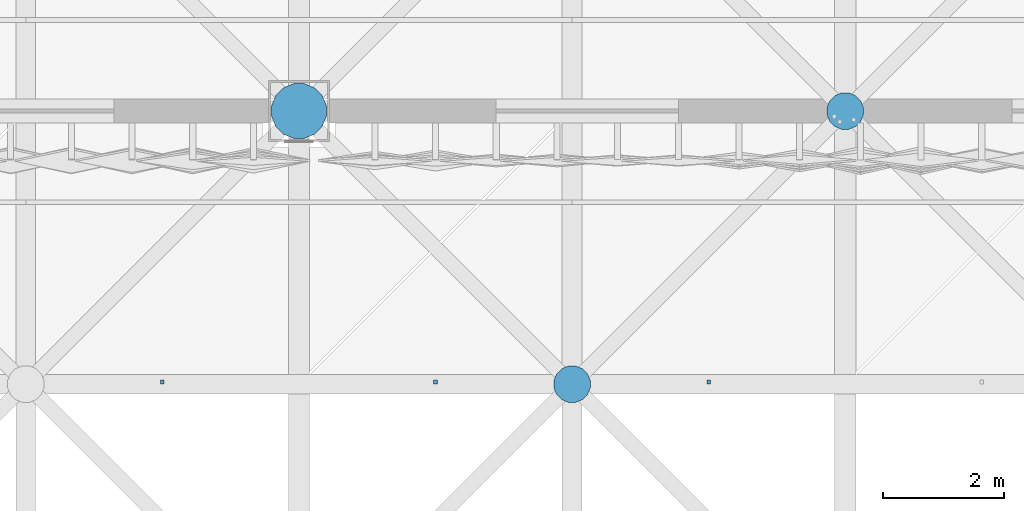
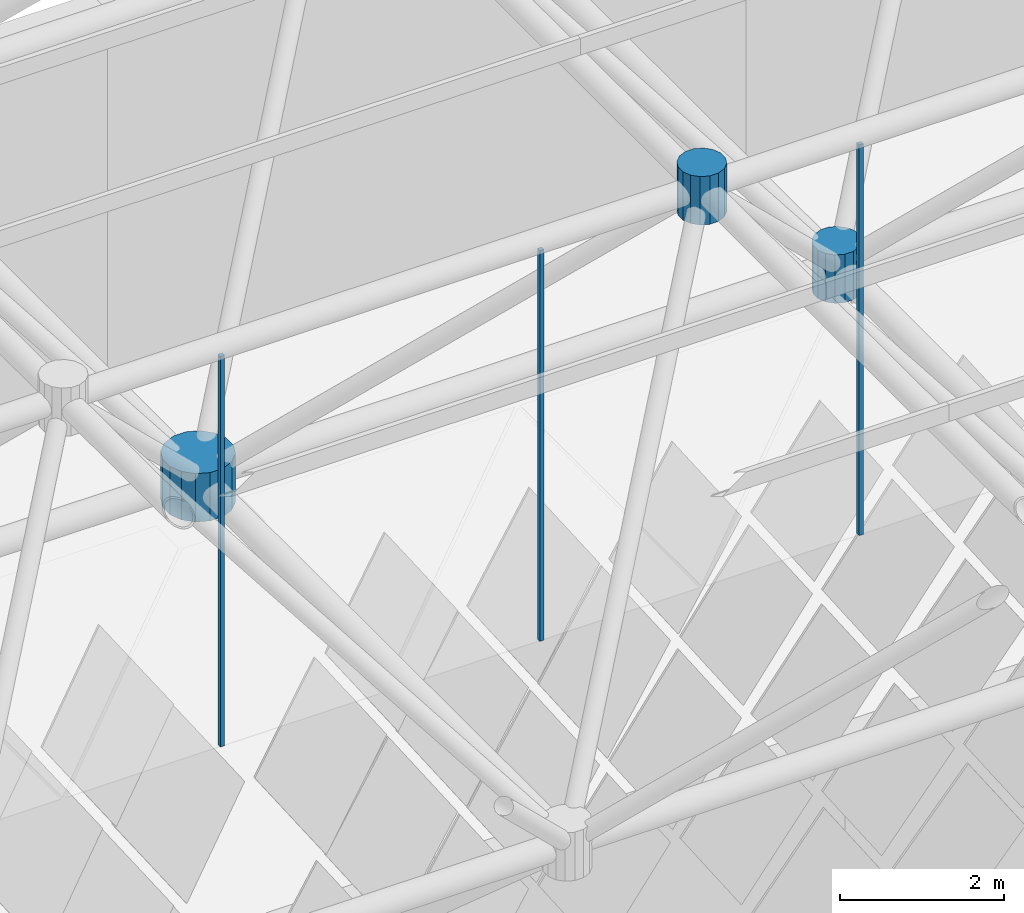
# One storey, part 300 of 437: 6 discrete accessories.
"""IFC4 building model written with IfcOpenShell, lengths in metres."""

from ifc_helpers import new_model, si_unit, direction, frame, origin, place, context, subcontext, project, spatial, polyline, outline, extrude, material, type_object, element, save


model = new_model("IFC4")

# Units and contexts
model_context = context("Model", 3, precision=1e-05, world=origin(), true_north=direction((0.0, 1.0)))
body_context = subcontext(model_context, "Body", "Model", "MODEL_VIEW")
ifc_project = project(units=[si_unit("LENGTHUNIT", "METRE"), si_unit("AREAUNIT", "SQUARE_METRE"), si_unit("VOLUMEUNIT", "CUBIC_METRE"), si_unit("PLANEANGLEUNIT", "RADIAN"), si_unit("MASSUNIT", "GRAM", prefix="KILO")], contexts=[model_context])

# Site, building, storey
site_placement = place(None, origin())
site = spatial("IfcSite", under=ifc_project, at=site_placement, CompositionType="ELEMENT")
building_placement = place(site_placement, origin())
building = spatial("IfcBuilding", under=site, at=building_placement, Name="Opaline Strait Convention Centre", CompositionType="ELEMENT")
storey_placement = place(building_placement, frame((0.0, 0.0, 11.5)))
storey = spatial("IfcBuildingStorey", under=building, at=storey_placement, Name="L02", CompositionType="ELEMENT", Elevation=11.5)

# Discrete accessories
ifc_material_1 = material(Name="Steel Q355B", Category="steel")
discrete_accessory_type_1 = type_object("IfcDiscreteAccessoryType", Name="Soffit hanger 60x60 steel", PredefinedType="BRACKET", material=ifc_material_1)
discrete_accessory_1_placement = place(storey_placement, frame((0.0, 0.0, 11.989990234375)))
element("IfcDiscreteAccessory", 1, at=discrete_accessory_1_placement, inside=storey, type_object=discrete_accessory_type_1, Name="Soffit hanger", PredefinedType="BRACKET", context=body_context, shape_type="SweptSolid", body=[
    extrude(outline(polyline([(168.719970703125, 49.5048828125), (168.780029296875, 49.5048828125), (168.780029296875, 49.56494140625), (168.719970703125, 49.56494140625), (168.719970703125, 49.5048828125)])), origin(), (0.0, 0.0, 1.0), 5.819091796875),
])
discrete_accessory_2_placement = place(storey_placement, frame((0.0, 0.0, 11.989990234375)))
element("IfcDiscreteAccessory", 2, at=discrete_accessory_2_placement, inside=storey, type_object=discrete_accessory_type_1, Name="Soffit hanger", PredefinedType="BRACKET", context=body_context, shape_type="SweptSolid", body=[
    extrude(outline(polyline([(173.219970703125, 49.5048828125), (173.280029296875, 49.5048828125), (173.280029296875, 49.56494140625), (173.219970703125, 49.56494140625), (173.219970703125, 49.5048828125)])), origin(), (0.0, 0.0, 1.0), 5.819091796875),
])
discrete_accessory_3_placement = place(storey_placement, frame((0.0, 0.0, 11.989990234375)))
element("IfcDiscreteAccessory", 3, at=discrete_accessory_3_placement, inside=storey, type_object=discrete_accessory_type_1, Name="Soffit hanger", PredefinedType="BRACKET", context=body_context, shape_type="SweptSolid", body=[
    extrude(outline(polyline([(177.719970703125, 49.5048828125), (177.780029296875, 49.5048828125), (177.780029296875, 49.56494140625), (177.719970703125, 49.56494140625), (177.719970703125, 49.5048828125)])), origin(), (0.0, 0.0, 1.0), 5.819091796875),
])
ifc_material_2 = material(Name="Cast steel ZG300-500H (300 MPa)", Category="steel")
discrete_accessory_type_2 = type_object("IfcDiscreteAccessoryType", Name="Space frame bearing node hub D900", PredefinedType="USERDEFINED", material=ifc_material_2)
discrete_accessory_4_placement = place(storey_placement, frame((0.0, 0.0, 12.139892578125)))
element("IfcDiscreteAccessory", 4, at=discrete_accessory_4_placement, inside=storey, type_object=discrete_accessory_type_2, Name="Bottom node 10/2", ObjectType="NODE HUB", PredefinedType="USERDEFINED", context=body_context, shape_type="SweptSolid", body=[
    extrude(outline(polyline([(171.449951171875, 54.089599609375), (171.381591796875, 54.2548828125), (171.2548828125, 54.381591796875), (171.089599609375, 54.449951171875), (170.910400390625, 54.449951171875), (170.7451171875, 54.381591796875), (170.618408203125, 54.2548828125), (170.550048828125, 54.089599609375), (170.550048828125, 53.910400390625), (170.618408203125, 53.7451171875), (170.7451171875, 53.618408203125), (170.910400390625, 53.550048828125), (171.089599609375, 53.550048828125), (171.2548828125, 53.618408203125), (171.381591796875, 53.7451171875), (171.449951171875, 53.910400390625), (171.449951171875, 54.089599609375)])), origin(), (0.0, 0.0, 1.0), 0.72021484375),
])
discrete_accessory_type_3 = type_object("IfcDiscreteAccessoryType", Name="Space frame node hub D600", PredefinedType="USERDEFINED", material=ifc_material_2)
discrete_accessory_5_placement = place(storey_placement, frame((0.0, 0.0, 17.611572265625)))
element("IfcDiscreteAccessory", 5, at=discrete_accessory_5_placement, inside=storey, type_object=discrete_accessory_type_3, Name="Top node 11/2", ObjectType="NODE HUB", PredefinedType="USERDEFINED", context=body_context, shape_type="SweptSolid", body=[
    extrude(outline(polyline([(175.800048828125, 49.559814453125), (175.75439453125, 49.669921875), (175.669921875, 49.75439453125), (175.559814453125, 49.800048828125), (175.440185546875, 49.800048828125), (175.330078125, 49.75439453125), (175.24560546875, 49.669921875), (175.199951171875, 49.559814453125), (175.199951171875, 49.440185546875), (175.24560546875, 49.330078125), (175.330078125, 49.24560546875), (175.440185546875, 49.199951171875), (175.559814453125, 49.199951171875), (175.669921875, 49.24560546875), (175.75439453125, 49.330078125), (175.800048828125, 49.440185546875), (175.800048828125, 49.559814453125)])), origin(), (0.0, 0.0, 1.0), 0.719970703125),
])
discrete_accessory_6_placement = place(storey_placement, frame((0.0, 0.0, 12.139892578125)))
element("IfcDiscreteAccessory", 6, at=discrete_accessory_6_placement, inside=storey, type_object=discrete_accessory_type_3, Name="Bottom node 11/2", ObjectType="NODE HUB", PredefinedType="USERDEFINED", context=body_context, shape_type="SweptSolid", body=[
    extrude(outline(polyline([(180.300048828125, 54.059814453125), (180.25439453125, 54.169921875), (180.169921875, 54.25439453125), (180.059814453125, 54.300048828125), (179.940185546875, 54.300048828125), (179.830078125, 54.25439453125), (179.74560546875, 54.169921875), (179.699951171875, 54.059814453125), (179.699951171875, 53.940185546875), (179.74560546875, 53.830078125), (179.830078125, 53.74560546875), (179.940185546875, 53.699951171875), (180.059814453125, 53.699951171875), (180.169921875, 53.74560546875), (180.25439453125, 53.830078125), (180.300048828125, 53.940185546875), (180.300048828125, 54.059814453125)])), origin(), (0.0, 0.0, 1.0), 0.72021484375),
])

save(model, "model.ifc")
